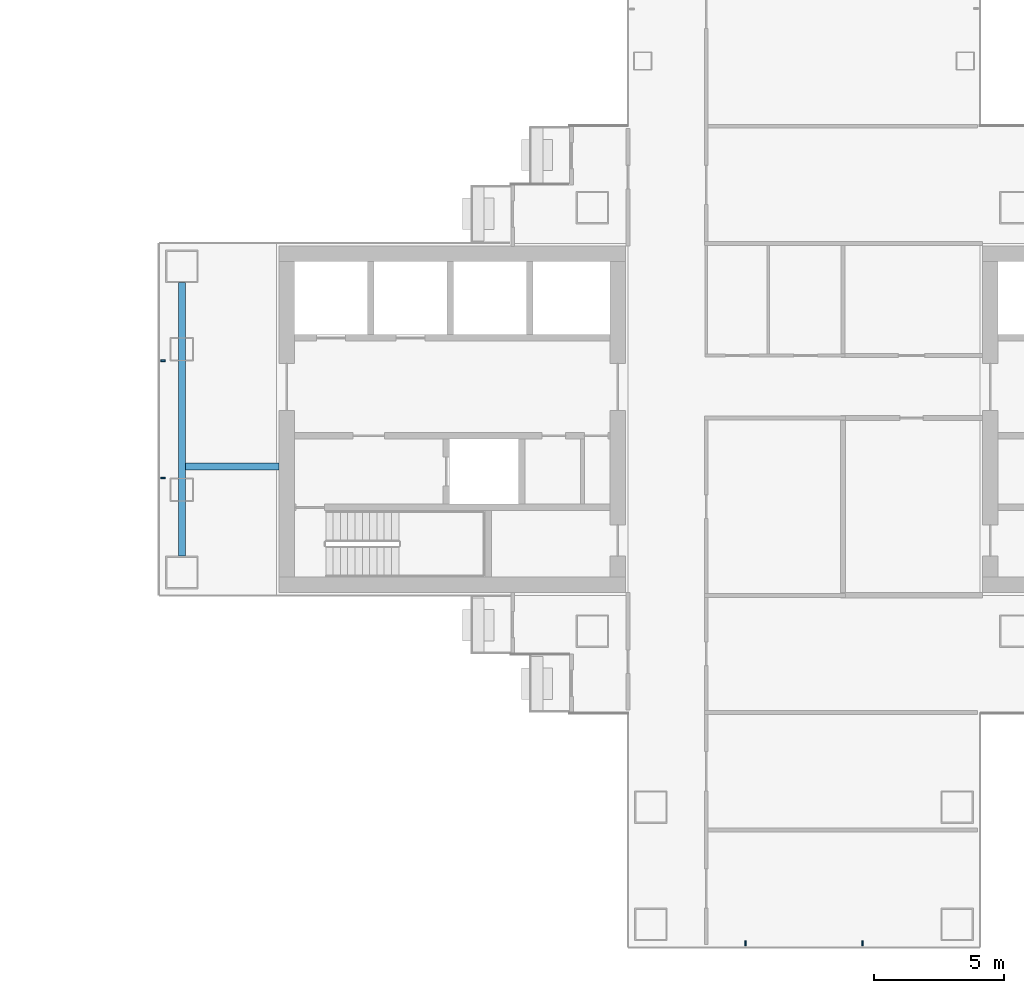
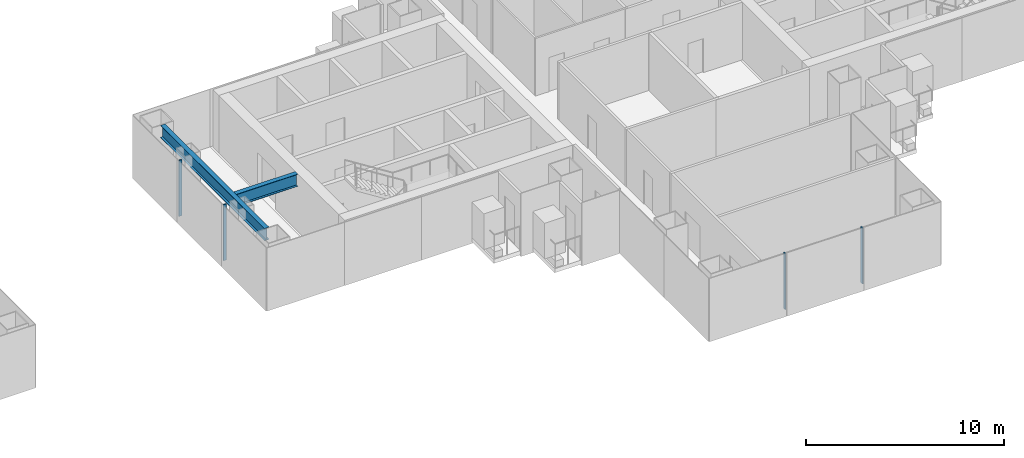
# One storey, part 6 of 20: 4 members, 2 beams, 2 elements without a shape of their own.
"""IFC4 building model written with IfcOpenShell, lengths in metres."""

from ifc_helpers import new_model, si_unit, direction, frame, origin, origin_2d, place, context, subcontext, project, spatial, rectangle, i_section, extrude, material, layer, layer_set, material_profile, profile_set, type_object, element, aggregate, save


model = new_model("IFC4")

# Units and contexts
model_context = context("Model", 3, precision=1e-05, world=origin(), true_north=direction((0.0, 1.0)))
body_context = subcontext(model_context, "Body", "Model", "MODEL_VIEW")
ifc_project = project(units=[si_unit("LENGTHUNIT", "METRE"), si_unit("AREAUNIT", "SQUARE_METRE"), si_unit("VOLUMEUNIT", "CUBIC_METRE"), si_unit("PLANEANGLEUNIT", "RADIAN"), si_unit("MASSUNIT", "GRAM", prefix="KILO")], contexts=[model_context])

# Site, building, storey
site_placement = place(None, origin())
site = spatial("IfcSite", under=ifc_project, at=site_placement, CompositionType="ELEMENT")
building_placement = place(site_placement, origin())
building = spatial("IfcBuilding", under=site, at=building_placement, Name="Shamsa Quay Exchange Towers", CompositionType="ELEMENT")
storey_placement = place(building_placement, frame((0.0, 0.0, 109.199951171875)))
storey = spatial("IfcBuildingStorey", under=building, at=storey_placement, Name="L25", CompositionType="ELEMENT", Elevation=109.199951171875)

# Curtain wall, members
ifc_material_1 = material(Name="Aluminium EN AW-6063 T6, black anodised", Category="aluminium")
ifc_layer = layer(ifc_material_1, 0.280029296875)
ifc_layer_set = layer_set([ifc_layer], Name="CW-1 UNITISED VISION GLASS")
curtain_wall_type = type_object("IfcCurtainWallType", Name="CW-1 UNITISED VISION GLASS", PredefinedType="NOTDEFINED", material=ifc_layer_set)
curtain_wall_1_placement = place(storey_placement, origin())
curtain_wall_1 = element("IfcCurtainWall", 1, at=curtain_wall_1_placement, inside=storey, type_object=curtain_wall_type, Name="CW1 T2-END-V+ L25", PredefinedType="NOTDEFINED")
ifc_material_profile_1 = material_profile(ifc_material_1, rectangle(XDim=0.179931640625, YDim=0.06005859375, at=origin_2d()), Name="MU60x180")
ifc_profile_set_1 = profile_set([ifc_material_profile_1], Name="Aluminium EN AW-6063 T6, black anodised")
member_type = type_object("IfcMemberType", Name="CW1 MULLION 60x180", PredefinedType="MULLION", material=ifc_profile_set_1)
member_1_placement = place(storey_placement, frame((9.14990234375, 2.25, 0.0)))
member_1 = element("IfcMember", 2, at=member_1_placement, type_object=member_type, Name="CW1 mullion", PredefinedType="MULLION", context=body_context, shape_type="SweptSolid", body=[
    extrude(rectangle(XDim=0.179931640625, YDim=0.06005859375, at=origin_2d()), origin(), (0.0, 0.0, 1.0), 3.449951171875),
])
member_2_placement = place(storey_placement, frame((9.14990234375, -2.25, 0.0)))
member_2 = element("IfcMember", 3, at=member_2_placement, type_object=member_type, Name="CW1 mullion", PredefinedType="MULLION", context=body_context, shape_type="SweptSolid", body=[
    extrude(rectangle(XDim=0.179931640625, YDim=0.06005859375, at=origin_2d()), origin(), (0.0, 0.0, 1.0), 3.449951171875),
])
aggregate(curtain_wall_1, [member_1, member_2])

curtain_wall_2_placement = place(storey_placement, origin())
curtain_wall_2 = element("IfcCurtainWall", 4, at=curtain_wall_2_placement, inside=storey, type_object=curtain_wall_type, Name="CW1 T2-END-U- L25", PredefinedType="NOTDEFINED")
member_3_placement = place(storey_placement, frame((31.5, -20.10009765625, 0.0), z_axis=(0.0, 0.0, 1.0), x_axis=(0.0, 1.0, 0.0)))
member_3 = element("IfcMember", 5, at=member_3_placement, type_object=member_type, Name="CW1 mullion", PredefinedType="MULLION", context=body_context, shape_type="SweptSolid", body=[
    extrude(rectangle(XDim=0.179931640625, YDim=0.06005859375, at=origin_2d()), origin(), (0.0, 0.0, 1.0), 3.449951171875),
])
member_4_placement = place(storey_placement, frame((36.0, -20.10009765625, 0.0), z_axis=(0.0, 0.0, 1.0), x_axis=(0.0, 1.0, 0.0)))
member_4 = element("IfcMember", 6, at=member_4_placement, type_object=member_type, Name="CW1 mullion", PredefinedType="MULLION", context=body_context, shape_type="SweptSolid", body=[
    extrude(rectangle(XDim=0.179931640625, YDim=0.06005859375, at=origin_2d()), origin(), (0.0, 0.0, 1.0), 3.449951171875),
])
aggregate(curtain_wall_2, [member_3, member_4])

# Beams
ifc_material_2 = material(Name="Steel S355", Category="steel")
ifc_material_profile_2 = material_profile(ifc_material_2, i_section(OverallWidth=0.26611328125, OverallDepth=0.7578125, WebThickness=0.013916015625, FlangeThickness=0.019287109375, at=origin_2d()), Name="W30x108")
ifc_profile_set_2 = profile_set([ifc_material_profile_2], Name="Steel S355")
beam_type = type_object("IfcBeamType", Name="End-zone beam W30x108", PredefinedType="BEAM", material=ifc_profile_set_2)
beam_1_placement = place(storey_placement, frame((9.875, -5.25, 3.171142578125), z_axis=(0.0, 1.0, 0.0), x_axis=(-1.0, 0.0, 0.0)))
element("IfcBeam", 7, at=beam_1_placement, inside=storey, type_object=beam_type, Name="End beam T2 V+ end zone L25", PredefinedType="BEAM", context=body_context, shape_type="SweptSolid", body=[
    extrude(i_section(OverallWidth=0.26611328125, OverallDepth=0.7578125, WebThickness=0.013916015625, FlangeThickness=0.019287109375, at=origin_2d()), origin(), (0.0, 0.0, 1.0), 10.5),
])
beam_2_placement = place(storey_placement, frame((13.60009765625, -1.800048828125, 3.171142578125), z_axis=(-1.0, 0.0, 0.0), x_axis=(0.0, -1.0, 0.0)))
element("IfcBeam", 8, at=beam_2_placement, inside=storey, type_object=beam_type, Name="Spine beam T2 V+ end zone L25", PredefinedType="BEAM", context=body_context, shape_type="SweptSolid", body=[
    extrude(i_section(OverallWidth=0.26611328125, OverallDepth=0.7578125, WebThickness=0.013916015625, FlangeThickness=0.019287109375, at=origin_2d()), origin(), (0.0, 0.0, 1.0), 3.592041015625),
])

save(model, "model.ifc")
